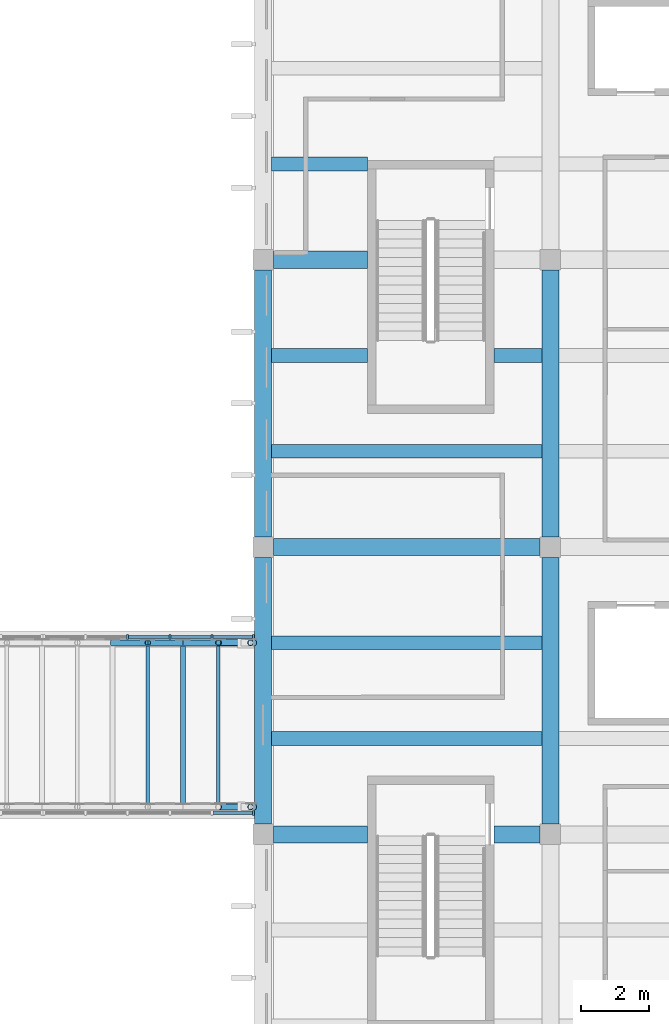
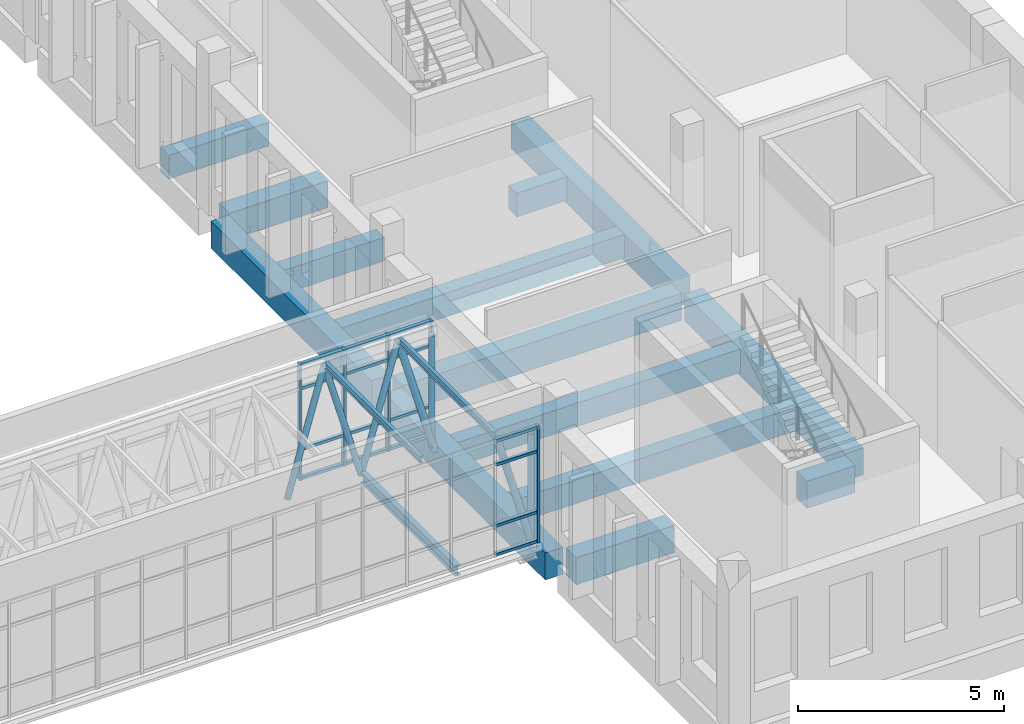
# One storey, part 14 of 119: 28 members, 17 beams, 2 elements without a shape of their own.
"""IFC4 building model written with IfcOpenShell, lengths in metres."""

from ifc_helpers import new_model, si_unit, direction, frame, origin, origin_2d, place, context, subcontext, project, spatial, rectangle, hollow_circle, i_section, extrude, material, layer, layer_set, material_profile, profile_set, type_object, element, aggregate, save


model = new_model("IFC4")

# Units and contexts
model_context = context("Model", 3, precision=1e-05, world=origin(), true_north=direction((0.0, 1.0)))
body_context = subcontext(model_context, "Body", "Model", "MODEL_VIEW")
ifc_project = project(units=[si_unit("LENGTHUNIT", "METRE"), si_unit("AREAUNIT", "SQUARE_METRE"), si_unit("VOLUMEUNIT", "CUBIC_METRE"), si_unit("PLANEANGLEUNIT", "RADIAN"), si_unit("MASSUNIT", "GRAM", prefix="KILO")], contexts=[model_context])

# Site, building, storey
site_placement = place(None, origin())
site = spatial("IfcSite", under=ifc_project, at=site_placement, CompositionType="ELEMENT")
building_placement = place(site_placement, origin())
building = spatial("IfcBuilding", under=site, at=building_placement, Name="Larchfold Concert Hall", CompositionType="ELEMENT")
storey_placement = place(building_placement, frame((0.0, 0.0, 4.800048828125)))
storey = spatial("IfcBuildingStorey", under=building, at=storey_placement, Name="L01", CompositionType="ELEMENT", Elevation=4.800048828125)

# Curtain wall, member
ifc_material_1 = material(Name="Anodised graphite aluminium curtain wall", Category="aluminium")
ifc_layer = layer(ifc_material_1, 0.14990234375)
ifc_layer_set = layer_set([ifc_layer], Name="Anodised graphite aluminium curtain wall")
curtain_wall_type = type_object("IfcCurtainWallType", Name="Curtain wall WG", PredefinedType="NOTDEFINED", material=ifc_layer_set)
curtain_wall_1_placement = place(storey_placement, origin())
curtain_wall_1 = element("IfcCurtainWall", 1, at=curtain_wall_1_placement, inside=storey, type_object=curtain_wall_type, Name="Curtain wall CW0306", PredefinedType="NOTDEFINED")
ifc_material_2 = material(Name="Anodised graphite aluminium mullion", Category="aluminium")
ifc_material_profile_1 = material_profile(ifc_material_2, rectangle(XDim=0.14990234375, YDim=0.06005859375, at=origin_2d()))
ifc_profile_set_1 = profile_set([ifc_material_profile_1], Name="Anodised graphite aluminium mullion")
member_type_1 = type_object("IfcMemberType", Name="Aluminium mullion 60x150", PredefinedType="MULLION", material=ifc_profile_set_1)
member_1_placement = place(storey_placement, frame((84.31494140625, 9.626708984375, 0.0), z_axis=(0.0, 0.0, 1.0), x_axis=(0.0, 1.0, 0.0)))
member_1 = element("IfcMember", 2, at=member_1_placement, type_object=member_type_1, Name="CW0306 mullion 6", PredefinedType="MULLION", context=body_context, shape_type="SweptSolid", body=[
    extrude(rectangle(XDim=0.14990234375, YDim=0.06005859375, at=origin_2d()), origin(), (0.0, 0.0, 1.0), 3.43994140625),
])

# Curtain wall, members
curtain_wall_2_placement = place(storey_placement, origin())
curtain_wall_2 = element("IfcCurtainWall", 3, at=curtain_wall_2_placement, inside=storey, type_object=curtain_wall_type, Name="Curtain wall CW0310", PredefinedType="NOTDEFINED")
member_2_placement = place(storey_placement, frame((80.6376953125, 14.7734375, 0.0), z_axis=(0.0, 0.0, 1.0), x_axis=(0.0, 1.0, 0.0)))
member_2 = element("IfcMember", 4, at=member_2_placement, type_object=member_type_1, Name="CW0310 mullion 3", PredefinedType="MULLION", context=body_context, shape_type="SweptSolid", body=[
    extrude(rectangle(XDim=0.14990234375, YDim=0.06005859375, at=origin_2d()), origin(), (0.0, 0.0, 1.0), 3.43994140625),
])
member_3_placement = place(storey_placement, frame((81.87353515625, 14.7734375, 0.0), z_axis=(0.0, 0.0, 1.0), x_axis=(0.0, 1.0, 0.0)))
member_3 = element("IfcMember", 5, at=member_3_placement, type_object=member_type_1, Name="CW0310 mullion 4", PredefinedType="MULLION", context=body_context, shape_type="SweptSolid", body=[
    extrude(rectangle(XDim=0.14990234375, YDim=0.06005859375, at=origin_2d()), origin(), (0.0, 0.0, 1.0), 3.43994140625),
])
member_4_placement = place(storey_placement, frame((83.109130859375, 14.7734375, 0.0), z_axis=(0.0, 0.0, 1.0), x_axis=(0.0, 1.0, 0.0)))
member_4 = element("IfcMember", 6, at=member_4_placement, type_object=member_type_1, Name="CW0310 mullion 5", PredefinedType="MULLION", context=body_context, shape_type="SweptSolid", body=[
    extrude(rectangle(XDim=0.14990234375, YDim=0.06005859375, at=origin_2d()), origin(), (0.0, 0.0, 1.0), 3.43994140625),
])
member_5_placement = place(storey_placement, frame((84.31494140625, 14.7734375, 0.0), z_axis=(0.0, 0.0, 1.0), x_axis=(0.0, 1.0, 0.0)))
member_5 = element("IfcMember", 7, at=member_5_placement, type_object=member_type_1, Name="CW0310 mullion 6", PredefinedType="MULLION", context=body_context, shape_type="SweptSolid", body=[
    extrude(rectangle(XDim=0.14990234375, YDim=0.06005859375, at=origin_2d()), origin(), (0.0, 0.0, 1.0), 3.43994140625),
])

# Member
ifc_material_3 = material(Name="Anodised graphite aluminium transom", Category="aluminium")
ifc_material_profile_2 = material_profile(ifc_material_3, rectangle(XDim=0.10009765625, YDim=0.080078125, at=origin_2d()))
ifc_profile_set_2 = profile_set([ifc_material_profile_2], Name="Anodised graphite aluminium transom")
member_type_2 = type_object("IfcMemberType", Name="Aluminium transom 80x100", PredefinedType="USERDEFINED", material=ifc_profile_set_2)
member_6_placement = place(storey_placement, frame((83.13916015625, 9.626708984375, 0.0400390625), z_axis=(1.0, 0.0, 0.0), x_axis=(0.0, 1.0, 0.0)))
member_6 = element("IfcMember", 8, at=member_6_placement, type_object=member_type_2, Name="CW0306 transom 5.1", ObjectType="TRANSOM", PredefinedType="USERDEFINED", context=body_context, shape_type="SweptSolid", body=[
    extrude(rectangle(XDim=0.10009765625, YDim=0.080078125, at=origin_2d()), origin(), (0.0, 0.0, 1.0), 1.145751953125),
])

member_7_placement = place(storey_placement, frame((83.13916015625, 9.626708984375, 0.89990234375), z_axis=(1.0, 0.0, 0.0), x_axis=(0.0, 1.0, 0.0)))
member_7 = element("IfcMember", 9, at=member_7_placement, type_object=member_type_2, Name="CW0306 transom 5.2", ObjectType="TRANSOM", PredefinedType="USERDEFINED", context=body_context, shape_type="SweptSolid", body=[
    extrude(rectangle(XDim=0.10009765625, YDim=0.080078125, at=origin_2d()), origin(), (0.0, 0.0, 1.0), 1.145751953125),
])

member_8_placement = place(storey_placement, frame((83.13916015625, 9.626708984375, 2.699951171875), z_axis=(1.0, 0.0, 0.0), x_axis=(0.0, 1.0, 0.0)))
member_8 = element("IfcMember", 10, at=member_8_placement, type_object=member_type_2, Name="CW0306 transom 5.3", ObjectType="TRANSOM", PredefinedType="USERDEFINED", context=body_context, shape_type="SweptSolid", body=[
    extrude(rectangle(XDim=0.10009765625, YDim=0.080078125, at=origin_2d()), origin(), (0.0, 0.0, 1.0), 1.145751953125),
])

member_9_placement = place(storey_placement, frame((83.13916015625, 9.626708984375, 3.39990234375), z_axis=(1.0, 0.0, 0.0), x_axis=(0.0, 1.0, 0.0)))
member_9 = element("IfcMember", 11, at=member_9_placement, type_object=member_type_2, Name="CW0306 transom 5.4", ObjectType="TRANSOM", PredefinedType="USERDEFINED", context=body_context, shape_type="SweptSolid", body=[
    extrude(rectangle(XDim=0.10009765625, YDim=0.080078125, at=origin_2d()), origin(), (0.0, 0.0, 1.0), 1.145751953125),
])

aggregate(curtain_wall_1, [member_1, member_6, member_7, member_8, member_9])

member_10_placement = place(storey_placement, frame((80.667724609375, 14.7734375, 0.0400390625), z_axis=(1.0, 0.0, 0.0), x_axis=(0.0, 1.0, 0.0)))
member_10 = element("IfcMember", 12, at=member_10_placement, type_object=member_type_2, Name="CW0310 transom 3.1", ObjectType="TRANSOM", PredefinedType="USERDEFINED", context=body_context, shape_type="SweptSolid", body=[
    extrude(rectangle(XDim=0.10009765625, YDim=0.080078125, at=origin_2d()), origin(), (0.0, 0.0, 1.0), 1.17578125),
])

member_11_placement = place(storey_placement, frame((80.667724609375, 14.7734375, 0.89990234375), z_axis=(1.0, 0.0, 0.0), x_axis=(0.0, 1.0, 0.0)))
member_11 = element("IfcMember", 13, at=member_11_placement, type_object=member_type_2, Name="CW0310 transom 3.2", ObjectType="TRANSOM", PredefinedType="USERDEFINED", context=body_context, shape_type="SweptSolid", body=[
    extrude(rectangle(XDim=0.10009765625, YDim=0.080078125, at=origin_2d()), origin(), (0.0, 0.0, 1.0), 1.17578125),
])

member_12_placement = place(storey_placement, frame((80.667724609375, 14.7734375, 2.699951171875), z_axis=(1.0, 0.0, 0.0), x_axis=(0.0, 1.0, 0.0)))
member_12 = element("IfcMember", 14, at=member_12_placement, type_object=member_type_2, Name="CW0310 transom 3.3", ObjectType="TRANSOM", PredefinedType="USERDEFINED", context=body_context, shape_type="SweptSolid", body=[
    extrude(rectangle(XDim=0.10009765625, YDim=0.080078125, at=origin_2d()), origin(), (0.0, 0.0, 1.0), 1.17578125),
])

member_13_placement = place(storey_placement, frame((80.667724609375, 14.7734375, 3.39990234375), z_axis=(1.0, 0.0, 0.0), x_axis=(0.0, 1.0, 0.0)))
member_13 = element("IfcMember", 15, at=member_13_placement, type_object=member_type_2, Name="CW0310 transom 3.4", ObjectType="TRANSOM", PredefinedType="USERDEFINED", context=body_context, shape_type="SweptSolid", body=[
    extrude(rectangle(XDim=0.10009765625, YDim=0.080078125, at=origin_2d()), origin(), (0.0, 0.0, 1.0), 1.17578125),
])

member_14_placement = place(storey_placement, frame((81.903564453125, 14.7734375, 0.0400390625), z_axis=(1.0, 0.0, 0.0), x_axis=(0.0, 1.0, 0.0)))
member_14 = element("IfcMember", 16, at=member_14_placement, type_object=member_type_2, Name="CW0310 transom 4.1", ObjectType="TRANSOM", PredefinedType="USERDEFINED", context=body_context, shape_type="SweptSolid", body=[
    extrude(rectangle(XDim=0.10009765625, YDim=0.080078125, at=origin_2d()), origin(), (0.0, 0.0, 1.0), 1.17578125),
])

member_15_placement = place(storey_placement, frame((81.903564453125, 14.7734375, 0.89990234375), z_axis=(1.0, 0.0, 0.0), x_axis=(0.0, 1.0, 0.0)))
member_15 = element("IfcMember", 17, at=member_15_placement, type_object=member_type_2, Name="CW0310 transom 4.2", ObjectType="TRANSOM", PredefinedType="USERDEFINED", context=body_context, shape_type="SweptSolid", body=[
    extrude(rectangle(XDim=0.10009765625, YDim=0.080078125, at=origin_2d()), origin(), (0.0, 0.0, 1.0), 1.17578125),
])

member_16_placement = place(storey_placement, frame((81.903564453125, 14.7734375, 2.699951171875), z_axis=(1.0, 0.0, 0.0), x_axis=(0.0, 1.0, 0.0)))
member_16 = element("IfcMember", 18, at=member_16_placement, type_object=member_type_2, Name="CW0310 transom 4.3", ObjectType="TRANSOM", PredefinedType="USERDEFINED", context=body_context, shape_type="SweptSolid", body=[
    extrude(rectangle(XDim=0.10009765625, YDim=0.080078125, at=origin_2d()), origin(), (0.0, 0.0, 1.0), 1.17578125),
])

member_17_placement = place(storey_placement, frame((81.903564453125, 14.7734375, 3.39990234375), z_axis=(1.0, 0.0, 0.0), x_axis=(0.0, 1.0, 0.0)))
member_17 = element("IfcMember", 19, at=member_17_placement, type_object=member_type_2, Name="CW0310 transom 4.4", ObjectType="TRANSOM", PredefinedType="USERDEFINED", context=body_context, shape_type="SweptSolid", body=[
    extrude(rectangle(XDim=0.10009765625, YDim=0.080078125, at=origin_2d()), origin(), (0.0, 0.0, 1.0), 1.17578125),
])

member_18_placement = place(storey_placement, frame((83.13916015625, 14.7734375, 0.0400390625), z_axis=(1.0, 0.0, 0.0), x_axis=(0.0, 1.0, 0.0)))
member_18 = element("IfcMember", 20, at=member_18_placement, type_object=member_type_2, Name="CW0310 transom 5.1", ObjectType="TRANSOM", PredefinedType="USERDEFINED", context=body_context, shape_type="SweptSolid", body=[
    extrude(rectangle(XDim=0.10009765625, YDim=0.080078125, at=origin_2d()), origin(), (0.0, 0.0, 1.0), 1.145751953125),
])

member_19_placement = place(storey_placement, frame((83.13916015625, 14.7734375, 0.89990234375), z_axis=(1.0, 0.0, 0.0), x_axis=(0.0, 1.0, 0.0)))
member_19 = element("IfcMember", 21, at=member_19_placement, type_object=member_type_2, Name="CW0310 transom 5.2", ObjectType="TRANSOM", PredefinedType="USERDEFINED", context=body_context, shape_type="SweptSolid", body=[
    extrude(rectangle(XDim=0.10009765625, YDim=0.080078125, at=origin_2d()), origin(), (0.0, 0.0, 1.0), 1.145751953125),
])

member_20_placement = place(storey_placement, frame((83.13916015625, 14.7734375, 2.699951171875), z_axis=(1.0, 0.0, 0.0), x_axis=(0.0, 1.0, 0.0)))
member_20 = element("IfcMember", 22, at=member_20_placement, type_object=member_type_2, Name="CW0310 transom 5.3", ObjectType="TRANSOM", PredefinedType="USERDEFINED", context=body_context, shape_type="SweptSolid", body=[
    extrude(rectangle(XDim=0.10009765625, YDim=0.080078125, at=origin_2d()), origin(), (0.0, 0.0, 1.0), 1.145751953125),
])

member_21_placement = place(storey_placement, frame((83.13916015625, 14.7734375, 3.39990234375), z_axis=(1.0, 0.0, 0.0), x_axis=(0.0, 1.0, 0.0)))
member_21 = element("IfcMember", 23, at=member_21_placement, type_object=member_type_2, Name="CW0310 transom 5.4", ObjectType="TRANSOM", PredefinedType="USERDEFINED", context=body_context, shape_type="SweptSolid", body=[
    extrude(rectangle(XDim=0.10009765625, YDim=0.080078125, at=origin_2d()), origin(), (0.0, 0.0, 1.0), 1.145751953125),
])

aggregate(curtain_wall_2, [member_2, member_3, member_4, member_5, member_10, member_11, member_12, member_13, member_14, member_15, member_16, member_17, member_18, member_19, member_20, member_21])

# Beams
ifc_material_4 = material(Name="Steel S355", Category="steel")
ifc_material_profile_3 = material_profile(ifc_material_4, i_section(OverallWidth=0.10009765625, OverallDepth=0.199951171875, WebThickness=0.005615234375, FlangeThickness=0.008544921875, FilletRadius=0.011962890625, at=origin_2d()))
ifc_profile_set_3 = profile_set([ifc_material_profile_3], Name="Steel S355")
beam_type_1 = type_object("IfcBeamType", Name="Beam IPE 200", PredefinedType="BEAM", material=ifc_profile_set_3)
for number, where, z_axis, x_axis, name in (
    (24, (81.22998046875, 9.89990234375, 3.33984375), (0.0, 1.0, 0.0), (-1.0, 0.0, 0.0), "Beam LBR11"),
    (25, (83.2900390625, 9.89990234375, 3.33984375), (0.0, 1.0, 0.0), (-1.0, 0.0, 0.0), "Beam LBR12"),
):
    element("IfcBeam", number, at=place(storey_placement, frame(where, z_axis=z_axis, x_axis=x_axis)), inside=storey, type_object=beam_type_1, Name=name, PredefinedType="BEAM", context=body_context, shape_type="SweptSolid", body=[
        extrude(i_section(OverallWidth=0.10009765625, OverallDepth=0.199951171875, WebThickness=0.005615234375, FlangeThickness=0.008544921875, FilletRadius=0.011962890625, at=origin_2d()), origin(), (0.0, 0.0, 1.0), 4.60009765625),
    ])
ifc_material_5 = material(Name="Steel S355", Category="steel")
ifc_material_profile_4 = material_profile(ifc_material_5, i_section(OverallWidth=0.14990234375, OverallDepth=0.300048828125, WebThickness=0.007080078125, FlangeThickness=0.0107421875, FilletRadius=0.014892578125, at=origin_2d()))
ifc_profile_set_4 = profile_set([ifc_material_profile_4], Name="Steel S355")
beam_type_2 = type_object("IfcBeamType", Name="Beam IPE 300", PredefinedType="BEAM", material=ifc_profile_set_4)
beam_1_placement = place(storey_placement, frame((82.260009765625, 9.89990234375, -0.31005859375), z_axis=(0.0, 1.0, 0.0), x_axis=(-1.0, 0.0, 0.0)))
element("IfcBeam", 26, at=beam_1_placement, inside=storey, type_object=beam_type_2, Name="Beam LBF11", PredefinedType="BEAM", context=body_context, shape_type="SweptSolid", body=[
    extrude(i_section(OverallWidth=0.14990234375, OverallDepth=0.300048828125, WebThickness=0.007080078125, FlangeThickness=0.0107421875, FilletRadius=0.014892578125, at=origin_2d()), origin(), (0.0, 0.0, 1.0), 4.60009765625),
])
ifc_material_6 = material(Name="Concrete C35/45", Category="concrete")
ifc_material_profile_5 = material_profile(ifc_material_6, rectangle(XDim=0.39990234375, YDim=0.699951171875, at=origin_2d()))
ifc_profile_set_5 = profile_set([ifc_material_profile_5], Name="Concrete C35/45")
beam_type_3 = type_object("IfcBeamType", Name="Beam RC 400x700", PredefinedType="BEAM", material=ifc_profile_set_5)
for number, where, z_axis, x_axis, name in (
    (27, (84.85009765625, 11.800048828125, -0.510009765625), (1.0, 0.0, 0.0), (0.0, 1.0, 0.0), "Beam B0560"),
    (28, (84.85009765625, 14.60009765625, -0.510009765625), (1.0, 0.0, 0.0), (0.0, 1.0, 0.0), "Beam B0562"),
    (29, (84.85009765625, 20.199951171875, -0.510009765625), (1.0, 0.0, 0.0), (0.0, 1.0, 0.0), "Beam B0564"),
):
    element("IfcBeam", number, at=place(storey_placement, frame(where, z_axis=z_axis, x_axis=x_axis)), inside=storey, type_object=beam_type_3, Name=name, PredefinedType="BEAM", context=body_context, shape_type="SweptSolid", body=[
        extrude(rectangle(XDim=0.39990234375, YDim=0.699951171875, at=origin_2d()), origin(), (0.0, 0.0, 1.0), 7.89990234375),
    ])
beam_2_placement = place(storey_placement, frame((84.85009765625, 23.0, -0.510009765625), z_axis=(1.0, 0.0, 0.0), x_axis=(0.0, 1.0, 0.0)))
element("IfcBeam", 30, at=beam_2_placement, inside=storey, type_object=beam_type_3, Name="Beam B0566", PredefinedType="BEAM", context=body_context, shape_type="SweptSolid", body=[
    extrude(rectangle(XDim=0.39990234375, YDim=0.699951171875, at=origin_2d()), origin(), (0.0, 0.0, 1.0), 2.7998046875),
])
beam_3_placement = place(storey_placement, frame((91.35009765625, 23.0, -0.510009765625), z_axis=(1.0, 0.0, 0.0), x_axis=(0.0, 1.0, 0.0)))
element("IfcBeam", 31, at=beam_3_placement, inside=storey, type_object=beam_type_3, Name="Beam B0567", PredefinedType="BEAM", context=body_context, shape_type="SweptSolid", body=[
    extrude(rectangle(XDim=0.39990234375, YDim=0.699951171875, at=origin_2d()), origin(), (0.0, 0.0, 1.0), 1.39990234375),
])
beam_4_placement = place(storey_placement, frame((84.85009765625, 28.60009765625, -0.510009765625), z_axis=(1.0, 0.0, 0.0), x_axis=(0.0, 1.0, 0.0)))
element("IfcBeam", 32, at=beam_4_placement, inside=storey, type_object=beam_type_3, Name="Beam B0569", PredefinedType="BEAM", context=body_context, shape_type="SweptSolid", body=[
    extrude(rectangle(XDim=0.39990234375, YDim=0.699951171875, at=origin_2d()), origin(), (0.0, 0.0, 1.0), 2.7998046875),
])
ifc_material_7 = material(Name="Concrete C35/45", Category="concrete")
ifc_material_profile_6 = material_profile(ifc_material_7, rectangle(XDim=0.5, YDim=0.800048828125, at=origin_2d()))
ifc_profile_set_6 = profile_set([ifc_material_profile_6], Name="Concrete C35/45")
beam_type_4 = type_object("IfcBeamType", Name="Beam RC 500x800", PredefinedType="BEAM", material=ifc_profile_set_6)
for number, where, z_axis, x_axis, name in (
    (33, (84.60009765625, 9.300048828125, -0.56005859375), (0.0, 1.0, 0.0), (-1.0, 0.0, 0.0), "Beam B0515"),
    (34, (84.60009765625, 17.699951171875, -0.56005859375), (0.0, 1.0, 0.0), (-1.0, 0.0, 0.0), "Beam B0516"),
    (35, (93.0, 9.300048828125, -0.56005859375), (0.0, 1.0, 0.0), (-1.0, 0.0, 0.0), "Beam B0522"),
    (36, (93.0, 17.699951171875, -0.56005859375), (0.0, 1.0, 0.0), (-1.0, 0.0, 0.0), "Beam B0523"),
):
    element("IfcBeam", number, at=place(storey_placement, frame(where, z_axis=z_axis, x_axis=x_axis)), inside=storey, type_object=beam_type_4, Name=name, PredefinedType="BEAM", context=body_context, shape_type="SweptSolid", body=[
        extrude(rectangle(XDim=0.5, YDim=0.800048828125, at=origin_2d()), origin(), (0.0, 0.0, 1.0), 7.800048828125),
    ])
beam_5_placement = place(storey_placement, frame((84.89990234375, 9.0, -0.56005859375), z_axis=(1.0, 0.0, 0.0), x_axis=(0.0, 1.0, 0.0)))
element("IfcBeam", 37, at=beam_5_placement, inside=storey, type_object=beam_type_4, Name="Beam B0538", PredefinedType="BEAM", context=body_context, shape_type="SweptSolid", body=[
    extrude(rectangle(XDim=0.5, YDim=0.800048828125, at=origin_2d()), origin(), (0.0, 0.0, 1.0), 2.75),
])
beam_6_placement = place(storey_placement, frame((91.35009765625, 9.0, -0.56005859375), z_axis=(1.0, 0.0, 0.0), x_axis=(0.0, 1.0, 0.0)))
element("IfcBeam", 38, at=beam_6_placement, inside=storey, type_object=beam_type_4, Name="Beam B0539", PredefinedType="BEAM", context=body_context, shape_type="SweptSolid", body=[
    extrude(rectangle(XDim=0.5, YDim=0.800048828125, at=origin_2d()), origin(), (0.0, 0.0, 1.0), 1.349853515625),
])
beam_7_placement = place(storey_placement, frame((84.89990234375, 17.39990234375, -0.56005859375), z_axis=(1.0, 0.0, 0.0), x_axis=(0.0, 1.0, 0.0)))
element("IfcBeam", 39, at=beam_7_placement, inside=storey, type_object=beam_type_4, Name="Beam B0541", PredefinedType="BEAM", context=body_context, shape_type="SweptSolid", body=[
    extrude(rectangle(XDim=0.5, YDim=0.800048828125, at=origin_2d()), origin(), (0.0, 0.0, 1.0), 7.800048828125),
])
beam_8_placement = place(storey_placement, frame((84.89990234375, 25.800048828125, -0.56005859375), z_axis=(1.0, 0.0, 0.0), x_axis=(0.0, 1.0, 0.0)))
element("IfcBeam", 40, at=beam_8_placement, inside=storey, type_object=beam_type_4, Name="Beam B0543", PredefinedType="BEAM", context=body_context, shape_type="SweptSolid", body=[
    extrude(rectangle(XDim=0.5, YDim=0.800048828125, at=origin_2d()), origin(), (0.0, 0.0, 1.0), 2.75),
])

# Members
ifc_material_8 = material(Name="Steel S355J2H", Category="steel")
ifc_material_profile_7 = material_profile(ifc_material_8, hollow_circle(Radius=0.084228515625, WallThickness=0.008056640625, at=origin_2d()))
ifc_profile_set_7 = profile_set([ifc_material_profile_7], Name="Steel S355J2H")
member_type_3 = type_object("IfcMemberType", Name="Link truss post CHS 168.3x8", PredefinedType="POST", material=ifc_profile_set_7)
for number, where, z_axis, x_axis, name in (
    (41, (84.23583984375, 9.800048828125, -0.16015625), (0.0, 0.0, 1.0), (1.0, 0.0, 0.0), "Member LB1V02"),
    (42, (84.23583984375, 14.60009765625, -0.16015625), (0.0, 0.0, 1.0), (1.0, 0.0, 0.0), "Member LB2V02"),
):
    element("IfcMember", number, at=place(storey_placement, frame(where, z_axis=z_axis, x_axis=x_axis)), inside=storey, type_object=member_type_3, Name=name, PredefinedType="POST", context=body_context, shape_type="SweptSolid", body=[
        extrude(hollow_circle(Radius=0.084228515625, WallThickness=0.008056640625, at=origin_2d()), origin(), (0.0, 0.0, 1.0), 3.30029296875),
    ])
ifc_material_9 = material(Name="Steel S355J2H", Category="steel")
ifc_material_profile_8 = material_profile(ifc_material_9, hollow_circle(Radius=0.084228515625, WallThickness=0.008056640625, at=origin_2d()))
ifc_profile_set_8 = profile_set([ifc_material_profile_8], Name="Steel S355J2H")
member_type_4 = type_object("IfcMemberType", Name="Link truss web CHS 168.3x8", PredefinedType="BRACE", material=ifc_profile_set_8)
for number, where, z_axis, x_axis, name in (
    (43, (80.199951171875, 14.60009765625, -0.31005859375), (0.275074167583, 0.0, 0.961423009049), (0.0, 1.0, 0.0), "Member LB2D21"),
    (44, (81.22998046875, 14.60009765625, 3.2900390625), (0.275074167583, 0.0, -0.961423009049), (0.0, 1.0, 0.0), "Member LB2D22"),
    (45, (82.260009765625, 14.60009765625, -0.31005859375), (0.275074167583, 0.0, 0.961423009049), (0.0, 1.0, 0.0), "Member LB2D23"),
):
    element("IfcMember", number, at=place(storey_placement, frame(where, z_axis=z_axis, x_axis=x_axis)), inside=storey, type_object=member_type_4, Name=name, PredefinedType="BRACE", context=body_context, shape_type="SweptSolid", body=[
        extrude(hollow_circle(Radius=0.084228515625, WallThickness=0.008056640625, at=origin_2d()), origin(), (0.0, 0.0, 1.0), 3.74462890625),
    ])
ifc_material_10 = material(Name="Steel S355J2H", Category="steel")
ifc_material_profile_9 = material_profile(ifc_material_10, hollow_circle(Radius=0.096923828125, WallThickness=0.008056640625, at=origin_2d()))
ifc_profile_set_9 = profile_set([ifc_material_profile_9], Name="Steel S355J2H")
member_type_5 = type_object("IfcMemberType", Name="Link truss web CHS 193.7x8", PredefinedType="BRACE", material=ifc_profile_set_9)
for number, where, z_axis, x_axis, name in (
    (46, (83.2900390625, 9.800048828125, 3.2900390625), (0.275074167583, 0.0, -0.961423009049), (0.0, 1.0, 0.0), "Member LB1D24"),
    (47, (83.2900390625, 14.60009765625, 3.2900390625), (0.275074167583, 0.0, -0.961423009049), (0.0, 1.0, 0.0), "Member LB2D24"),
):
    element("IfcMember", number, at=place(storey_placement, frame(where, z_axis=z_axis, x_axis=x_axis)), inside=storey, type_object=member_type_5, Name=name, PredefinedType="BRACE", context=body_context, shape_type="SweptSolid", body=[
        extrude(hollow_circle(Radius=0.096923828125, WallThickness=0.008056640625, at=origin_2d()), origin(), (0.0, 0.0, 1.0), 3.74462890625),
    ])

save(model, "model.ifc")
